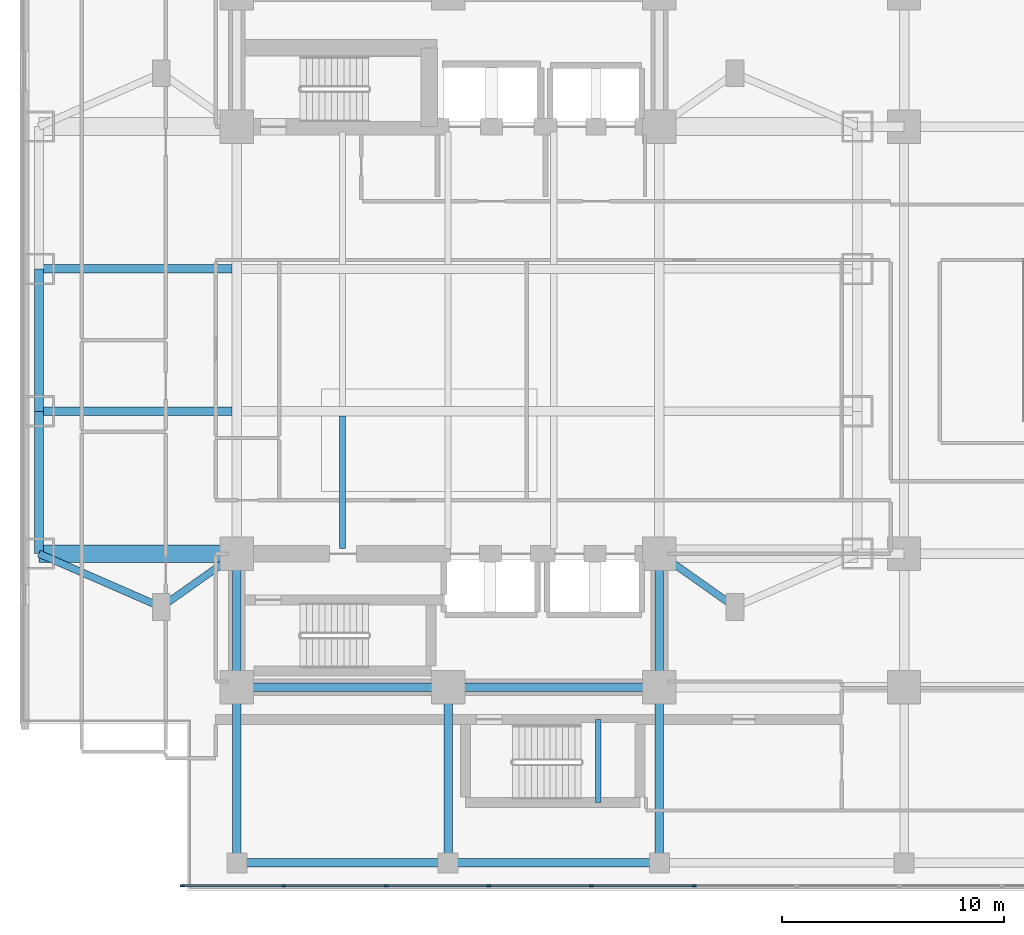
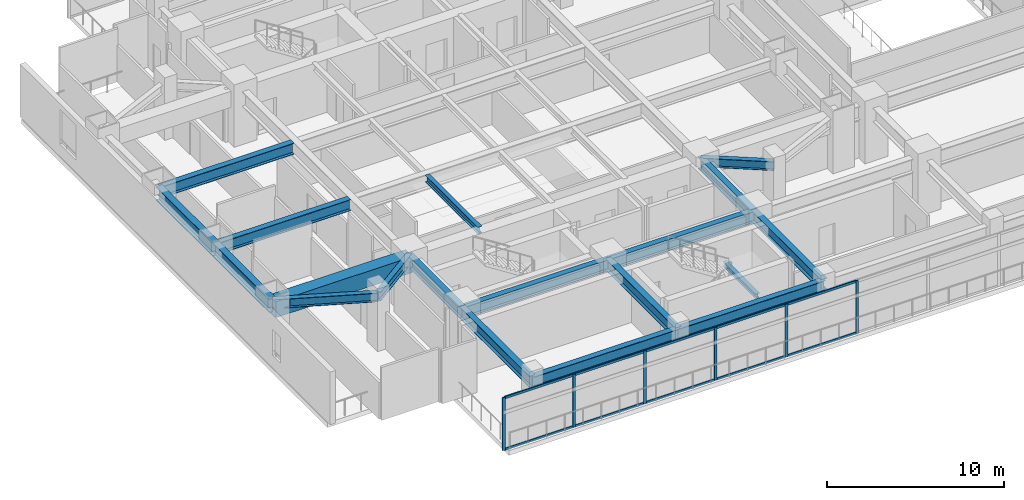
# One storey, part 2 of 26: 19 beams, 16 members, 1 element without a shape of its own.
"""IFC4 building model written with IfcOpenShell, lengths in metres."""

from ifc_helpers import new_model, si_unit, direction, frame, origin, origin_2d, place, context, subcontext, project, spatial, rectangle, i_section, extrude, material, material_profile, profile_set, type_object, element, aggregate, save


model = new_model("IFC4")

# Units and contexts
model_context = context("Model", 3, precision=1e-05, world=origin(), true_north=direction((0.0, 1.0)))
body_context = subcontext(model_context, "Body", "Model", "MODEL_VIEW")
ifc_project = project(units=[si_unit("LENGTHUNIT", "METRE"), si_unit("AREAUNIT", "SQUARE_METRE"), si_unit("VOLUMEUNIT", "CUBIC_METRE"), si_unit("PLANEANGLEUNIT", "RADIAN"), si_unit("MASSUNIT", "GRAM", prefix="KILO")], contexts=[model_context])

# Site, building, storey
site_placement = place(None, origin())
site = spatial("IfcSite", under=ifc_project, at=site_placement, CompositionType="ELEMENT")
building_placement = place(site_placement, origin())
building = spatial("IfcBuilding", under=site, at=building_placement, Name="Mirazonda Arch Towers", CompositionType="ELEMENT")
storey_placement = place(building_placement, frame((0.0, 0.0, 13.800048828125)))
storey = spatial("IfcBuildingStorey", under=building, at=storey_placement, Name="L03", CompositionType="ELEMENT", Elevation=13.800048828125)

# Beams
ifc_material_1 = material(Name="Steel ASTM A992 Grade 50", Category="steel")
ifc_material_profile_1 = material_profile(ifc_material_1, i_section(OverallWidth=0.381103515625, OverallDepth=0.77294921875, WebThickness=0.0166015625, FlangeThickness=0.027099609375, at=origin_2d()), Name="W30X173")
ifc_profile_set_1 = profile_set([ifc_material_profile_1], Name="Steel ASTM A992 Grade 50")
beam_type_1 = type_object("IfcBeamType", Name="BM-EXT-W30X173", PredefinedType="USERDEFINED", material=ifc_profile_set_1)
for number, where, z_axis, x_axis, name in (
    (1, (11.0, 4.5, 3.263427734375), (1.0, 0.0, 0.0), (0.0, 1.0, 0.0), "L03 Floor Beam BM-POD-L03-PS-1"),
    (2, (20.5, 4.5, 3.263427734375), (1.0, 0.0, 0.0), (0.0, 1.0, 0.0), "L03 Floor Beam BM-POD-L03-PS-2"),
):
    element("IfcBeam", number, at=place(storey_placement, frame(where, z_axis=z_axis, x_axis=x_axis)), inside=storey, type_object=beam_type_1, Name=name, ObjectType="GIRDER", PredefinedType="USERDEFINED", context=body_context, shape_type="SweptSolid", body=[
        extrude(i_section(OverallWidth=0.381103515625, OverallDepth=0.77294921875, WebThickness=0.0166015625, FlangeThickness=0.027099609375, at=origin_2d()), origin(), (0.0, 0.0, 1.0), 9.5),
    ])
ifc_material_profile_2 = material_profile(ifc_material_1, i_section(OverallWidth=0.41796875, OverallDepth=0.927001953125, WebThickness=0.019287109375, FlangeThickness=0.031982421875, at=origin_2d()), Name="W36X231")
ifc_profile_set_2 = profile_set([ifc_material_profile_2], Name="Steel ASTM A992 Grade 50")
beam_type_2 = type_object("IfcBeamType", Name="BM-EXT-W36X231", PredefinedType="USERDEFINED", material=ifc_profile_set_2)
beam_1_placement = place(storey_placement, frame((2.10009765625, 18.39990234375, 3.1865234375), z_axis=(0.0, 1.0, 0.0), x_axis=(-1.0, 0.0, 0.0)))
element("IfcBeam", 3, at=beam_1_placement, inside=storey, type_object=beam_type_2, Name="L03 Floor Beam BM-T1-L03-NS-W-18", ObjectType="GIRDER", PredefinedType="USERDEFINED", context=body_context, shape_type="SweptSolid", body=[
    extrude(i_section(OverallWidth=0.41796875, OverallDepth=0.927001953125, WebThickness=0.019287109375, FlangeThickness=0.031982421875, at=origin_2d()), origin(), (0.0, 0.0, 1.0), 6.400146484375),
])
beam_2_placement = place(storey_placement, frame((2.10009765625, 24.800048828125, 3.1865234375), z_axis=(0.0, 1.0, 0.0), x_axis=(-1.0, 0.0, 0.0)))
element("IfcBeam", 4, at=beam_2_placement, inside=storey, type_object=beam_type_2, Name="L03 Floor Beam BM-T1-L03-NS-W-24", ObjectType="GIRDER", PredefinedType="USERDEFINED", context=body_context, shape_type="SweptSolid", body=[
    extrude(i_section(OverallWidth=0.41796875, OverallDepth=0.927001953125, WebThickness=0.019287109375, FlangeThickness=0.031982421875, at=origin_2d()), origin(), (0.0, 0.0, 1.0), 6.39990234375),
])
ifc_material_profile_3 = material_profile(ifc_material_1, i_section(OverallWidth=0.257080078125, OverallDepth=0.330078125, WebThickness=0.011962890625, FlangeThickness=0.01953125, at=origin_2d()), Name="W10X68")
ifc_profile_set_3 = profile_set([ifc_material_profile_3], Name="Steel ASTM A992 Grade 50")
beam_type_3 = type_object("IfcBeamType", Name="BM-INT-W10X68", PredefinedType="BEAM", material=ifc_profile_set_3)
beam_3_placement = place(storey_placement, frame((27.25, 7.219970703125, 1.784912109375), z_axis=(0.0, 1.0, 0.0), x_axis=(-1.0, 0.0, 0.0)))
element("IfcBeam", 5, at=beam_3_placement, inside=storey, type_object=beam_type_3, Name="L03 ST-POD1 Landing Trimmer Beam", PredefinedType="BEAM", context=body_context, shape_type="SweptSolid", body=[
    extrude(i_section(OverallWidth=0.257080078125, OverallDepth=0.330078125, WebThickness=0.011962890625, FlangeThickness=0.01953125, at=origin_2d()), origin(), (0.0, 0.0, 1.0), 3.72998046875),
])
ifc_material_profile_4 = material_profile(ifc_material_1, i_section(OverallWidth=0.280029296875, OverallDepth=0.462890625, WebThickness=0.0107421875, FlangeThickness=0.017333984375, at=origin_2d()), Name="W18X76")
ifc_profile_set_4 = profile_set([ifc_material_profile_4], Name="Steel ASTM A992 Grade 50")
beam_type_4 = type_object("IfcBeamType", Name="BM-INT-W18X76", PredefinedType="JOIST", material=ifc_profile_set_4)
beam_4_placement = place(storey_placement, frame((15.75, 18.639892578125, 3.41845703125), z_axis=(0.0, 1.0, 0.0), x_axis=(-1.0, 0.0, 0.0)))
element("IfcBeam", 6, at=beam_4_placement, inside=storey, type_object=beam_type_4, Name="L03 Floor Beam BM-T1-L03-J-157-18", PredefinedType="JOIST", context=body_context, shape_type="SweptSolid", body=[
    extrude(i_section(OverallWidth=0.280029296875, OverallDepth=0.462890625, WebThickness=0.0107421875, FlangeThickness=0.017333984375, at=origin_2d()), origin(), (0.0, 0.0, 1.0), 5.9541015625),
])
ifc_material_profile_5 = material_profile(ifc_material_1, i_section(OverallWidth=0.324951171875, OverallDepth=0.615966796875, WebThickness=0.013916015625, FlangeThickness=0.021484375, at=origin_2d()), Name="W24X117")
ifc_profile_set_5 = profile_set([ifc_material_profile_5], Name="Steel ASTM A992 Grade 50")
beam_type_5 = type_object("IfcBeamType", Name="BM-INT-W24X117", PredefinedType="BEAM", material=ifc_profile_set_5)
beam_5_placement = place(storey_placement, frame((7.60009765625, 16.0, 3.342041015625), z_axis=(0.816971114901, 0.576678591087, 0.0), x_axis=(-0.576678591087, 0.816971114901, 0.0)))
element("IfcBeam", 7, at=beam_5_placement, inside=storey, type_object=beam_type_5, Name="L03 Floor Beam BM-T1-L03-PL-SW1", PredefinedType="BEAM", context=body_context, shape_type="SweptSolid", body=[
    extrude(i_section(OverallWidth=0.324951171875, OverallDepth=0.615966796875, WebThickness=0.013916015625, FlangeThickness=0.021484375, at=origin_2d()), origin(), (0.0, 0.0, 1.0), 4.16162109375),
])
beam_6_placement = place(storey_placement, frame((7.60009765625, 16.0, 3.342041015625), z_axis=(-0.916545343703, 0.399930785183, 0.0), x_axis=(-0.399930785183, -0.916545343703, 0.0)))
element("IfcBeam", 8, at=beam_6_placement, inside=storey, type_object=beam_type_5, Name="L03 Floor Beam BM-T1-L03-PL-SW2", PredefinedType="BEAM", context=body_context, shape_type="SweptSolid", body=[
    extrude(i_section(OverallWidth=0.324951171875, OverallDepth=0.615966796875, WebThickness=0.013916015625, FlangeThickness=0.021484375, at=origin_2d()), origin(), (0.0, 0.0, 1.0), 6.000732421875),
])
beam_7_placement = place(storey_placement, frame((33.39990234375, 16.0, 3.342041015625), z_axis=(-0.816971114901, 0.576678591087, 0.0), x_axis=(-0.576678591087, -0.816971114901, 0.0)))
element("IfcBeam", 9, at=beam_7_placement, inside=storey, type_object=beam_type_5, Name="L03 Floor Beam BM-T1-L03-PL-SE1", PredefinedType="BEAM", context=body_context, shape_type="SweptSolid", body=[
    extrude(i_section(OverallWidth=0.324951171875, OverallDepth=0.615966796875, WebThickness=0.013916015625, FlangeThickness=0.021484375, at=origin_2d()), origin(), (0.0, 0.0, 1.0), 4.16162109375),
])
ifc_material_profile_6 = material_profile(ifc_material_1, i_section(OverallWidth=0.381103515625, OverallDepth=0.77294921875, WebThickness=0.0166015625, FlangeThickness=0.027099609375, at=origin_2d()), Name="W30X173")
ifc_profile_set_6 = profile_set([ifc_material_profile_6], Name="Steel ASTM A992 Grade 50")
beam_type_6 = type_object("IfcBeamType", Name="BM-INT-W30X173", PredefinedType="USERDEFINED", material=ifc_profile_set_6)
for number, where, z_axis, x_axis, name in (
    (10, (2.10009765625, 24.800048828125, 3.263427734375), (1.0, 0.0, 0.0), (0.0, 1.0, 0.0), "L03 Floor Beam BM-T1-L03-GW2"),
    (11, (2.10009765625, 31.199951171875, 3.263427734375), (1.0, 0.0, 0.0), (0.0, 1.0, 0.0), "L03 Floor Beam BM-T1-L03-GW3"),
):
    element("IfcBeam", number, at=place(storey_placement, frame(where, z_axis=z_axis, x_axis=x_axis)), inside=storey, type_object=beam_type_6, Name=name, ObjectType="GIRDER", PredefinedType="USERDEFINED", context=body_context, shape_type="SweptSolid", body=[
        extrude(i_section(OverallWidth=0.381103515625, OverallDepth=0.77294921875, WebThickness=0.0166015625, FlangeThickness=0.027099609375, at=origin_2d()), origin(), (0.0, 0.0, 1.0), 8.68994140625),
    ])
for number, where, z_axis, x_axis, name in (
    (12, (11.0, 12.39990234375, 3.263427734375), (1.0, 0.0, 0.0), (0.0, 1.0, 0.0), "L03 Floor Beam BM-T1-L03-CS1"),
    (13, (20.5, 12.39990234375, 3.263427734375), (1.0, 0.0, 0.0), (0.0, 1.0, 0.0), "L03 Floor Beam BM-T1-L03-CS2"),
):
    element("IfcBeam", number, at=place(storey_placement, frame(where, z_axis=z_axis, x_axis=x_axis)), inside=storey, type_object=beam_type_6, Name=name, ObjectType="GIRDER", PredefinedType="USERDEFINED", context=body_context, shape_type="SweptSolid", body=[
        extrude(i_section(OverallWidth=0.381103515625, OverallDepth=0.77294921875, WebThickness=0.0166015625, FlangeThickness=0.027099609375, at=origin_2d()), origin(), (0.0, 0.0, 1.0), 9.5),
    ])
for number, where, z_axis, x_axis, name in (
    (14, (11.0, 12.39990234375, 3.263427734375), (0.0, 1.0, 0.0), (-1.0, 0.0, 0.0), "L03 Floor Beam BM-T1-L03-CSW"),
    (15, (30.0, 12.39990234375, 3.263427734375), (0.0, 1.0, 0.0), (-1.0, 0.0, 0.0), "L03 Floor Beam BM-T1-L03-CSE"),
):
    element("IfcBeam", number, at=place(storey_placement, frame(where, z_axis=z_axis, x_axis=x_axis)), inside=storey, type_object=beam_type_6, Name=name, ObjectType="GIRDER", PredefinedType="USERDEFINED", context=body_context, shape_type="SweptSolid", body=[
        extrude(i_section(OverallWidth=0.381103515625, OverallDepth=0.77294921875, WebThickness=0.0166015625, FlangeThickness=0.027099609375, at=origin_2d()), origin(), (0.0, 0.0, 1.0), 6.0),
    ])
for number, where, z_axis, x_axis, name in (
    (16, (11.0, 4.5, 3.263427734375), (0.0, 1.0, 0.0), (-1.0, 0.0, 0.0), "L03 Floor Beam BM-POD-L03-PCS-1"),
    (17, (20.5, 4.5, 3.263427734375), (0.0, 1.0, 0.0), (-1.0, 0.0, 0.0), "L03 Floor Beam BM-POD-L03-PCS-2"),
    (18, (30.0, 4.5, 3.263427734375), (0.0, 1.0, 0.0), (-1.0, 0.0, 0.0), "L03 Floor Beam BM-POD-L03-PCS-3"),
):
    element("IfcBeam", number, at=place(storey_placement, frame(where, z_axis=z_axis, x_axis=x_axis)), inside=storey, type_object=beam_type_6, Name=name, ObjectType="GIRDER", PredefinedType="USERDEFINED", context=body_context, shape_type="SweptSolid", body=[
        extrude(i_section(OverallWidth=0.381103515625, OverallDepth=0.77294921875, WebThickness=0.0166015625, FlangeThickness=0.027099609375, at=origin_2d()), origin(), (0.0, 0.0, 1.0), 7.89990234375),
    ])
ifc_material_2 = material(Name="Concrete C60/75", Category="concrete")
ifc_material_profile_7 = material_profile(ifc_material_2, rectangle(XDim=0.800048828125, YDim=1.10009765625, at=origin_2d()), Name="RCCB800x1100")
ifc_profile_set_7 = profile_set([ifc_material_profile_7], Name="Concrete C60/75")
beam_type_7 = type_object("IfcBeamType", Name="CB-INT-RCCB800x1100", PredefinedType="SPANDREL", material=ifc_profile_set_7)
beam_8_placement = place(storey_placement, frame((2.10009765625, 18.39990234375, 3.099853515625), z_axis=(1.0, 0.0, 0.0), x_axis=(0.0, 1.0, 0.0)))
element("IfcBeam", 19, at=beam_8_placement, inside=storey, type_object=beam_type_7, Name="L03 Floor Beam CB-T1-L03-SW", PredefinedType="SPANDREL", context=body_context, shape_type="SweptSolid", body=[
    extrude(rectangle(XDim=0.800048828125, YDim=1.10009765625, at=origin_2d()), origin(), (0.0, 0.0, 1.0), 8.89990234375),
])

# Curtain wall, members
ifc_material_3 = material(Name="Anodised Aluminium and Low-E Glass", Category="aluminium")
curtain_wall_type = type_object("IfcCurtainWallType", Name="CW-POD-STORE", PredefinedType="NOTDEFINED", material=ifc_material_3)
curtain_wall_placement = place(storey_placement, origin())
curtain_wall = element("IfcCurtainWall", 20, at=curtain_wall_placement, inside=storey, type_object=curtain_wall_type, Name="L03 Curtain Wall CW-L03-S1", PredefinedType="NOTDEFINED")
ifc_material_4 = material(Name="Anodised Aluminium Alloy", Category="aluminium")
ifc_material_profile_8 = material_profile(ifc_material_4, rectangle(XDim=0.080078125, YDim=0.179931640625, at=origin_2d()), Name="ALU-MULL-80x180")
ifc_profile_set_8 = profile_set([ifc_material_profile_8], Name="Anodised Aluminium Alloy")
member_type_1 = type_object("IfcMemberType", Name="MULL-CW-POD-STORE", PredefinedType="MULLION", material=ifc_profile_set_8)
member_1_placement = place(storey_placement, frame((31.5556640625, 3.469970703125, 0.0), z_axis=(0.0, 0.0, 1.0), x_axis=(0.0, -1.0, 0.0)))
member_1 = element("IfcMember", 21, at=member_1_placement, type_object=member_type_1, Name="CW-102 mullion 14", PredefinedType="MULLION", context=body_context, shape_type="SweptSolid", body=[
    extrude(rectangle(XDim=0.080078125, YDim=0.179931640625, at=origin_2d()), origin(), (0.0, 0.0, 1.0), 3.6298828125),
])
member_2_placement = place(storey_placement, frame((26.9443359375, 3.469970703125, 0.0), z_axis=(0.0, 0.0, 1.0), x_axis=(0.0, -1.0, 0.0)))
member_2 = element("IfcMember", 22, at=member_2_placement, type_object=member_type_1, Name="CW-102 mullion 15", PredefinedType="MULLION", context=body_context, shape_type="SweptSolid", body=[
    extrude(rectangle(XDim=0.080078125, YDim=0.179931640625, at=origin_2d()), origin(), (0.0, 0.0, 1.0), 3.6298828125),
])
member_3_placement = place(storey_placement, frame((22.333251953125, 3.469970703125, 0.0), z_axis=(0.0, 0.0, 1.0), x_axis=(0.0, -1.0, 0.0)))
member_3 = element("IfcMember", 23, at=member_3_placement, type_object=member_type_1, Name="CW-102 mullion 16", PredefinedType="MULLION", context=body_context, shape_type="SweptSolid", body=[
    extrude(rectangle(XDim=0.080078125, YDim=0.179931640625, at=origin_2d()), origin(), (0.0, 0.0, 1.0), 3.6298828125),
])
member_4_placement = place(storey_placement, frame((17.72216796875, 3.469970703125, 0.0), z_axis=(0.0, 0.0, 1.0), x_axis=(0.0, -1.0, 0.0)))
member_4 = element("IfcMember", 24, at=member_4_placement, type_object=member_type_1, Name="CW-102 mullion 17", PredefinedType="MULLION", context=body_context, shape_type="SweptSolid", body=[
    extrude(rectangle(XDim=0.080078125, YDim=0.179931640625, at=origin_2d()), origin(), (0.0, 0.0, 1.0), 3.6298828125),
])
member_5_placement = place(storey_placement, frame((13.111083984375, 3.469970703125, 0.0), z_axis=(0.0, 0.0, 1.0), x_axis=(0.0, -1.0, 0.0)))
member_5 = element("IfcMember", 25, at=member_5_placement, type_object=member_type_1, Name="CW-102 mullion 18", PredefinedType="MULLION", context=body_context, shape_type="SweptSolid", body=[
    extrude(rectangle(XDim=0.080078125, YDim=0.179931640625, at=origin_2d()), origin(), (0.0, 0.0, 1.0), 3.6298828125),
])
member_6_placement = place(storey_placement, frame((8.5400390625, 3.469970703125, 0.0), z_axis=(0.0, 0.0, 1.0), x_axis=(0.0, -1.0, 0.0)))
member_6 = element("IfcMember", 26, at=member_6_placement, type_object=member_type_1, Name="CW-102 mullion 19", PredefinedType="MULLION", context=body_context, shape_type="SweptSolid", body=[
    extrude(rectangle(XDim=0.080078125, YDim=0.179931640625, at=origin_2d()), origin(), (0.0, 0.0, 1.0), 3.6298828125),
])
ifc_material_profile_9 = material_profile(ifc_material_4, rectangle(XDim=0.080078125, YDim=0.159912109375, at=origin_2d()), Name="ALU-TRAN-80x160")
ifc_profile_set_9 = profile_set([ifc_material_profile_9], Name="Anodised Aluminium Alloy")
member_type_2 = type_object("IfcMemberType", Name="TRAN-CW-POD-STORE", PredefinedType="USERDEFINED", material=ifc_profile_set_9)
member_7_placement = place(storey_placement, frame((31.515625, 3.469970703125, 0.0400390625), z_axis=(-1.0, 0.0, 0.0), x_axis=(0.0, -1.0, 0.0)))
member_7 = element("IfcMember", 27, at=member_7_placement, type_object=member_type_2, Name="CW-102 transom 14.1", ObjectType="TRANSOM", PredefinedType="USERDEFINED", context=body_context, shape_type="SweptSolid", body=[
    extrude(rectangle(XDim=0.080078125, YDim=0.159912109375, at=origin_2d()), origin(), (0.0, 0.0, 1.0), 4.53125),
])
member_8_placement = place(storey_placement, frame((31.515625, 3.469970703125, 3.58984375), z_axis=(-1.0, 0.0, 0.0), x_axis=(0.0, -1.0, 0.0)))
member_8 = element("IfcMember", 28, at=member_8_placement, type_object=member_type_2, Name="CW-102 transom 14.2", ObjectType="TRANSOM", PredefinedType="USERDEFINED", context=body_context, shape_type="SweptSolid", body=[
    extrude(rectangle(XDim=0.080078125, YDim=0.159912109375, at=origin_2d()), origin(), (0.0, 0.0, 1.0), 4.53125),
])
member_9_placement = place(storey_placement, frame((26.904541015625, 3.469970703125, 0.0400390625), z_axis=(-1.0, 0.0, 0.0), x_axis=(0.0, -1.0, 0.0)))
member_9 = element("IfcMember", 29, at=member_9_placement, type_object=member_type_2, Name="CW-102 transom 15.1", ObjectType="TRANSOM", PredefinedType="USERDEFINED", context=body_context, shape_type="SweptSolid", body=[
    extrude(rectangle(XDim=0.080078125, YDim=0.159912109375, at=origin_2d()), origin(), (0.0, 0.0, 1.0), 4.53125),
])
member_10_placement = place(storey_placement, frame((26.904541015625, 3.469970703125, 3.58984375), z_axis=(-1.0, 0.0, 0.0), x_axis=(0.0, -1.0, 0.0)))
member_10 = element("IfcMember", 30, at=member_10_placement, type_object=member_type_2, Name="CW-102 transom 15.2", ObjectType="TRANSOM", PredefinedType="USERDEFINED", context=body_context, shape_type="SweptSolid", body=[
    extrude(rectangle(XDim=0.080078125, YDim=0.159912109375, at=origin_2d()), origin(), (0.0, 0.0, 1.0), 4.53125),
])
member_11_placement = place(storey_placement, frame((22.293212890625, 3.469970703125, 0.0400390625), z_axis=(-1.0, 0.0, 0.0), x_axis=(0.0, -1.0, 0.0)))
member_11 = element("IfcMember", 31, at=member_11_placement, type_object=member_type_2, Name="CW-102 transom 16.1", ObjectType="TRANSOM", PredefinedType="USERDEFINED", context=body_context, shape_type="SweptSolid", body=[
    extrude(rectangle(XDim=0.080078125, YDim=0.159912109375, at=origin_2d()), origin(), (0.0, 0.0, 1.0), 4.531005859375),
])
member_12_placement = place(storey_placement, frame((22.293212890625, 3.469970703125, 3.58984375), z_axis=(-1.0, 0.0, 0.0), x_axis=(0.0, -1.0, 0.0)))
member_12 = element("IfcMember", 32, at=member_12_placement, type_object=member_type_2, Name="CW-102 transom 16.2", ObjectType="TRANSOM", PredefinedType="USERDEFINED", context=body_context, shape_type="SweptSolid", body=[
    extrude(rectangle(XDim=0.080078125, YDim=0.159912109375, at=origin_2d()), origin(), (0.0, 0.0, 1.0), 4.531005859375),
])
member_13_placement = place(storey_placement, frame((17.68212890625, 3.469970703125, 0.0400390625), z_axis=(-1.0, 0.0, 0.0), x_axis=(0.0, -1.0, 0.0)))
member_13 = element("IfcMember", 33, at=member_13_placement, type_object=member_type_2, Name="CW-102 transom 17.1", ObjectType="TRANSOM", PredefinedType="USERDEFINED", context=body_context, shape_type="SweptSolid", body=[
    extrude(rectangle(XDim=0.080078125, YDim=0.159912109375, at=origin_2d()), origin(), (0.0, 0.0, 1.0), 4.531005859375),
])
member_14_placement = place(storey_placement, frame((17.68212890625, 3.469970703125, 3.58984375), z_axis=(-1.0, 0.0, 0.0), x_axis=(0.0, -1.0, 0.0)))
member_14 = element("IfcMember", 34, at=member_14_placement, type_object=member_type_2, Name="CW-102 transom 17.2", ObjectType="TRANSOM", PredefinedType="USERDEFINED", context=body_context, shape_type="SweptSolid", body=[
    extrude(rectangle(XDim=0.080078125, YDim=0.159912109375, at=origin_2d()), origin(), (0.0, 0.0, 1.0), 4.531005859375),
])
member_15_placement = place(storey_placement, frame((13.071044921875, 3.469970703125, 0.0400390625), z_axis=(-1.0, 0.0, 0.0), x_axis=(0.0, -1.0, 0.0)))
member_15 = element("IfcMember", 35, at=member_15_placement, type_object=member_type_2, Name="CW-102 transom 18.1", ObjectType="TRANSOM", PredefinedType="USERDEFINED", context=body_context, shape_type="SweptSolid", body=[
    extrude(rectangle(XDim=0.080078125, YDim=0.159912109375, at=origin_2d()), origin(), (0.0, 0.0, 1.0), 4.490966796875),
])
member_16_placement = place(storey_placement, frame((13.071044921875, 3.469970703125, 3.58984375), z_axis=(-1.0, 0.0, 0.0), x_axis=(0.0, -1.0, 0.0)))
member_16 = element("IfcMember", 36, at=member_16_placement, type_object=member_type_2, Name="CW-102 transom 18.2", ObjectType="TRANSOM", PredefinedType="USERDEFINED", context=body_context, shape_type="SweptSolid", body=[
    extrude(rectangle(XDim=0.080078125, YDim=0.159912109375, at=origin_2d()), origin(), (0.0, 0.0, 1.0), 4.490966796875),
])
aggregate(curtain_wall, [member_1, member_2, member_3, member_4, member_5, member_6, member_7, member_8, member_9, member_10, member_11, member_12, member_13, member_14, member_15, member_16])

save(model, "model.ifc")
